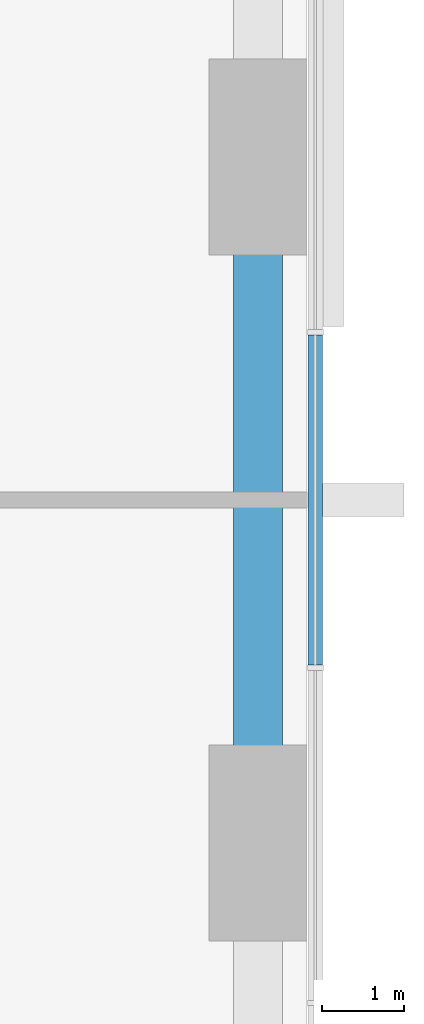
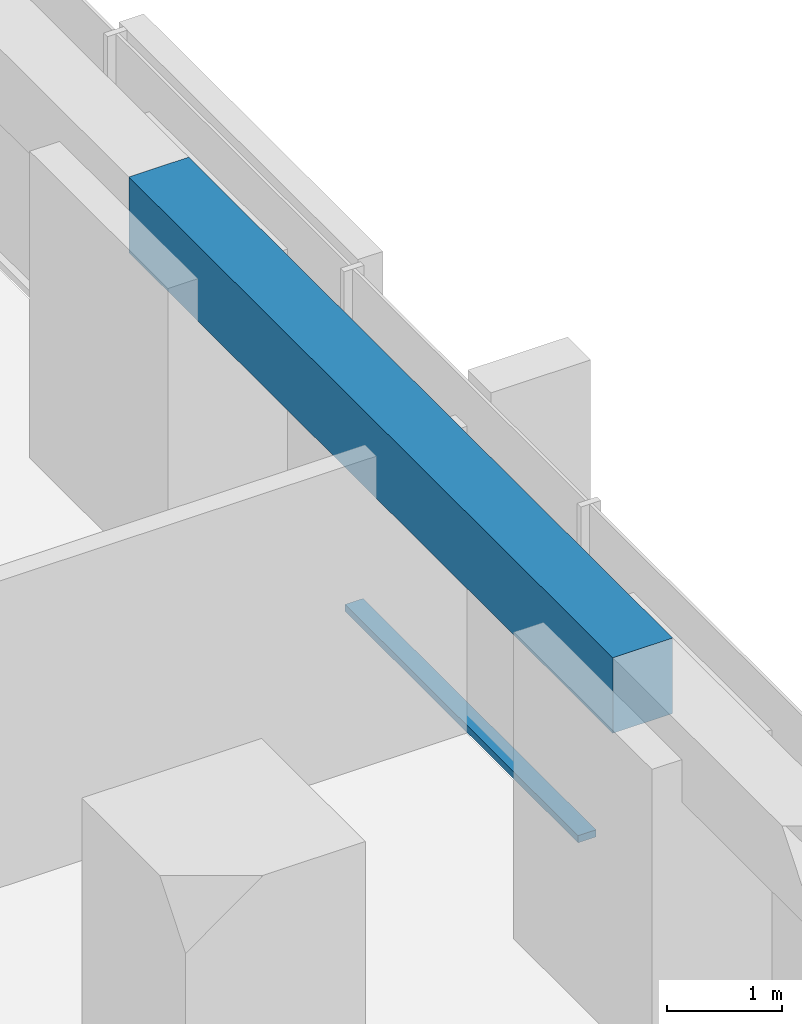
# One storey, part 5 of 17: 1 beam, 1 member, 1 element without a shape of its own.
"""IFC4 building model written with IfcOpenShell, lengths in metres."""

import ifcopenshell
import ifcopenshell.guid

model = None  # the IFC model being written
_history = None  # IfcOwnerHistory: only IFC2X3 demands one
_inside = {}  # id of a spatial element -> (the spatial element, [elements in it])
_under = {}  # id of a project, library or spatial element -> (it, [spatial elements below it])
_declared = {}  # id of a project -> (the project, [libraries it declares])
_typed = {}  # id of a type object -> (the type object, [elements of that type])
_made_of = {}  # id of a material, layer set ... -> (it, [elements and type objects made of it])


def new_model(schema):
    """Start an empty IFC model of exactly this schema.

    Asked for "IFC4X3", IfcOpenShell would pick the latest addendum, in which some entities
    have other attributes; the version numbers below select the first issue.
    IFC2X3 requires an IfcOwnerHistory on every rooted entity: one is made here for all.
    """
    global model, _history
    if schema == "IFC4X3":
        model = ifcopenshell.file(schema_version=(4, 3, 0, 0))
    else:
        model = ifcopenshell.file(schema=schema)
    _inside.clear()
    _under.clear()
    _declared.clear()
    _typed.clear()
    _made_of.clear()
    _history = None
    if model.schema == "IFC2X3":
        org = make("IfcOrganization", Name="unknown")
        user = make(
            "IfcPersonAndOrganization",
            ThePerson=make("IfcPerson", FamilyName="unknown"),
            TheOrganization=org,
        )
        app = make(
            "IfcApplication",
            ApplicationDeveloper=org,
            Version="unknown",
            ApplicationFullName="unknown",
            ApplicationIdentifier="unknown",
        )
        _history = make(
            "IfcOwnerHistory",
            OwningUser=user,
            OwningApplication=app,
            ChangeAction="ADDED",
            CreationDate=0,
        )
    return model


def make(cls, **values):
    """One entity of the class cls with the attributes given. An attribute that is None is left unset."""
    return model.create_entity(
        cls, **{name: value for name, value in values.items() if value is not None}
    )


def rooted(cls, **values):
    """An entity with a GlobalId (a new one), such as an element, a storey or a relation."""
    return make(cls, GlobalId=ifcopenshell.guid.new(), OwnerHistory=_history, **values)


def si_unit(unit_type, name, prefix=None):
    """IfcSIUnit, for example si_unit("LENGTHUNIT", "METRE", prefix="MILLI")."""
    return make("IfcSIUnit", UnitType=unit_type, Prefix=prefix, Name=name)


def assignment(units):
    """IfcUnitAssignment: the units of a project."""
    return None if units is None else make("IfcUnitAssignment", Units=units)


def point(xyz):
    """IfcCartesianPoint."""
    return None if xyz is None else make("IfcCartesianPoint", Coordinates=xyz)


def direction(xyz):
    """IfcDirection."""
    return None if xyz is None else make("IfcDirection", DirectionRatios=xyz)


def frame(location, z_axis=None, x_axis=None):
    """IfcAxis2Placement3D, a coordinate frame: its origin and axes. An axis left out is left unset."""
    return make(
        "IfcAxis2Placement3D",
        Location=point(location),
        Axis=direction(z_axis),
        RefDirection=direction(x_axis),
    )


def frame_2d(location, x_axis=None):
    """IfcAxis2Placement2D, a coordinate frame in the plane: its origin and x axis."""
    return make(
        "IfcAxis2Placement2D", Location=point(location), RefDirection=direction(x_axis)
    )


def origin():
    """The frame at (0, 0, 0) with its axes left unset."""
    return frame((0.0, 0.0, 0.0))


def origin_2d():
    """The frame at (0, 0) in the plane with its x axis left unset."""
    return frame_2d((0.0, 0.0))


def place(relative_to, where):
    """IfcLocalPlacement: puts the frame where relative to a parent placement (None: the world)."""
    return make(
        "IfcLocalPlacement", PlacementRelTo=relative_to, RelativePlacement=where
    )


def context(
    kind, dimensions, precision=None, world=None, true_north=None, identifier=None
):
    """IfcGeometricRepresentationContext, for example the 3D "Model" context."""
    return make(
        "IfcGeometricRepresentationContext",
        ContextIdentifier=identifier,
        ContextType=kind,
        CoordinateSpaceDimension=dimensions,
        Precision=precision,
        WorldCoordinateSystem=world,
        TrueNorth=true_north,
    )


def subcontext(parent, identifier, kind, view, scale=None):
    """IfcGeometricRepresentationSubContext, for example "Body" below "Model"."""
    return make(
        "IfcGeometricRepresentationSubContext",
        ContextIdentifier=identifier,
        ContextType=kind,
        ParentContext=parent,
        TargetScale=scale,
        TargetView=view,
    )


def project(units=None, contexts=None):
    """IfcProject with its units and contexts."""
    return rooted(
        "IfcProject",
        Name="project",
        RepresentationContexts=contexts,
        UnitsInContext=assignment(units),
    )


def spatial(cls, under=None, at=None, **own):
    """A site, building, storey or space (cls), placed at a placement, below another one or the project."""
    s = rooted(cls, ObjectPlacement=at, **own)
    if under is not None:
        _under.setdefault(under.id(), (under, []))[1].append(s)
    return s


def profile(cls, at=None, kind="AREA", **sizes):
    """A parametric profile (cls). Its sizes go by their IFC names, for example OverallWidth=200.0."""
    return make(cls, ProfileType=kind, Position=at, **sizes)


def rectangle(**sizes):
    """IfcRectangleProfileDef."""
    return profile("IfcRectangleProfileDef", **sizes)


def extrude(swept, where, along, depth):
    """IfcExtrudedAreaSolid: the profile swept, set in the frame where, extruded along a direction by depth."""
    return make(
        "IfcExtrudedAreaSolid",
        SweptArea=swept,
        Position=where,
        ExtrudedDirection=direction(along),
        Depth=depth,
    )


def shape(context_of_items, identifier, shape_type, items):
    """IfcShapeRepresentation: the items that make up one representation, for example the "Body"."""
    return make(
        "IfcShapeRepresentation",
        ContextOfItems=context_of_items,
        RepresentationIdentifier=identifier,
        RepresentationType=shape_type,
        Items=items,
    )


def material(Name=None, Category=None):
    """IfcMaterial."""
    return make("IfcMaterial", Name=Name, Category=Category)


def material_profile(
    of_material, cross_section, Name=None, Category=None, Priority=None
):
    """IfcMaterialProfile: a cross section and its material."""
    return make(
        "IfcMaterialProfile",
        Name=Name,
        Material=of_material,
        Profile=cross_section,
        Priority=Priority,
        Category=Category,
    )


def profile_set(profiles, Name=None, composite=None):
    """IfcMaterialProfileSet."""
    return make(
        "IfcMaterialProfileSet",
        Name=Name,
        MaterialProfiles=profiles,
        CompositeProfile=composite,
    )


def made_of(thing, what):
    """Note that an element or type object is made of a material, layer set ...; save() writes the relation."""
    if what is not None:
        _made_of.setdefault(what.id(), (what, []))[1].append(thing)
    return thing


def type_object(cls, material=None, **own):
    """A type object (cls), such as IfcWallType, which elements share."""
    return made_of(rooted(cls, **own), material)


def element(
    cls,
    number,
    at=None,
    inside=None,
    cuts=None,
    type_object=None,
    material=None,
    context=None,
    identifier="Body",
    shape_type=None,
    held_by="IfcProductDefinitionShape",
    body=None,
    shapes=None,
    **own,
):
    """One element of the class cls, such as IfcWall. Its Tag is "e" and its number.

    at: its placement. inside: the storey or other place that contains it. cuts: it is an
    opening in that element (IfcRelVoidsElement). A single representation is given by context,
    identifier, shape_type and body (its items); several are given by shapes. held_by: the class
    of the entity that holds the representations. save() writes the other relations.
    """
    e = rooted(cls, Tag="e%d" % number, ObjectPlacement=at, **own)
    if body is not None:
        shapes = [shape(context, identifier, shape_type, body)]
    if shapes is not None:
        e.Representation = make(held_by, Representations=shapes)
    if inside is not None:
        _inside.setdefault(inside.id(), (inside, []))[1].append(e)
    if cuts is not None:
        rooted(
            "IfcRelVoidsElement", RelatingBuildingElement=cuts, RelatedOpeningElement=e
        )
    if type_object is not None:
        _typed.setdefault(type_object.id(), (type_object, []))[1].append(e)
    return made_of(e, material)


def aggregate(whole, parts):
    """IfcRelAggregates: a whole, such as a stair, and the parts it consists of."""
    return rooted("IfcRelAggregates", RelatingObject=whole, RelatedObjects=parts)


def save(model, path):
    """Write the relations noted so far, then the file.

    IfcRelAggregates (storeys below a building ...), IfcRelContainedInSpatialStructure (elements
    in a storey), IfcRelDefinesByType, IfcRelAssociatesMaterial and IfcRelDeclares: one each for
    every whole, place, type object, material and project.
    """
    for whole, parts in _under.values():
        aggregate(whole, parts)
    for where, things in _inside.values():
        rooted(
            "IfcRelContainedInSpatialStructure",
            RelatedElements=things,
            RelatingStructure=where,
        )
    for kind, things in _typed.values():
        rooted("IfcRelDefinesByType", RelatedObjects=things, RelatingType=kind)
    for what, things in _made_of.values():
        rooted("IfcRelAssociatesMaterial", RelatedObjects=things, RelatingMaterial=what)
    for by, libraries in _declared.values():
        rooted("IfcRelDeclares", RelatingContext=by, RelatedDefinitions=libraries)
    model.write(path)


model = new_model("IFC4")

# Units and contexts
model_context = context("Model", 3, precision=1e-05, world=origin(), true_north=direction((0.0, 1.0)))
body_context = subcontext(model_context, "Body", "Model", "MODEL_VIEW")
ifc_project = project(units=[si_unit("LENGTHUNIT", "METRE"), si_unit("AREAUNIT", "SQUARE_METRE"), si_unit("VOLUMEUNIT", "CUBIC_METRE"), si_unit("PLANEANGLEUNIT", "RADIAN"), si_unit("MASSUNIT", "GRAM", prefix="KILO")], contexts=[model_context])

# Site, building, storey
site_placement = place(None, origin())
site = spatial("IfcSite", under=ifc_project, at=site_placement, CompositionType="ELEMENT")
building_placement = place(site_placement, origin())
building = spatial("IfcBuilding", under=site, at=building_placement, Name="Dunama Terrace Hotel", CompositionType="ELEMENT")
storey_placement = place(building_placement, frame((0.0, 0.0, 48.60009765625)))
storey = spatial("IfcBuildingStorey", under=building, at=storey_placement, Name="L11", CompositionType="ELEMENT", Elevation=48.60009765625)

# Curtain wall, member
ifc_material_1 = material(Name="Aluminium curtain wall system", Category="aluminium")
curtain_wall_type = type_object("IfcCurtainWallType", Name="Unitised fritted glass wall CW-A", PredefinedType="NOTDEFINED", material=ifc_material_1)
curtain_wall_placement = place(storey_placement, origin())
curtain_wall = element("IfcCurtainWall", 1, at=curtain_wall_placement, inside=storey, type_object=curtain_wall_type, Name="Unitised fritted glass wall CW-A L11", PredefinedType="NOTDEFINED")
ifc_material_2 = material(Name="Aluminium transom", Category="aluminium")
ifc_material_profile_1 = material_profile(ifc_material_2, rectangle(XDim=0.179931640625, YDim=0.074951171875, at=origin_2d()), Name="CWA TRANSOM 180X75")
ifc_profile_set_1 = profile_set([ifc_material_profile_1], Name="Aluminium transom")
member_type = type_object("IfcMemberType", Name="CWA transom 180x75", PredefinedType="USERDEFINED", material=ifc_profile_set_1)
member_placement = place(storey_placement, frame((58.89990234375, 27.37890625, 0.037353515625), z_axis=(0.0, 1.0, 0.0), x_axis=(-1.0, 0.0, 0.0)))
member = element("IfcMember", 2, at=member_placement, type_object=member_type, Name="CWA transom", ObjectType="TRANSOM", PredefinedType="USERDEFINED", context=body_context, shape_type="SweptSolid", body=[
    extrude(rectangle(XDim=0.179931640625, YDim=0.074951171875, at=origin_2d()), origin(), (0.0, 0.0, 1.0), 4.0419921875),
])
aggregate(curtain_wall, [member])

# Beam
ifc_material_3 = material(Name="Concrete C40/50", Category="concrete")
ifc_material_profile_2 = material_profile(ifc_material_3, rectangle(XDim=0.60009765625, YDim=0.800048828125, at=origin_2d()), Name="RC 600x800")
ifc_profile_set_2 = profile_set([ifc_material_profile_2], Name="Concrete C40/50")
beam_type = type_object("IfcBeamType", Name="Edge beam RC 600x800", PredefinedType="SPANDREL", material=ifc_profile_set_2)
beam_placement = place(storey_placement, frame((58.199951171875, 25.199951171875, 3.199951171875), z_axis=(0.0, 1.0, 0.0), x_axis=(-1.0, 0.0, 0.0)))
element("IfcBeam", 3, at=beam_placement, inside=storey, type_object=beam_type, Name="Edge beam under L12", PredefinedType="SPANDREL", context=body_context, shape_type="SweptSolid", body=[
    extrude(rectangle(XDim=0.60009765625, YDim=0.800048828125, at=origin_2d()), origin(), (0.0, 0.0, 1.0), 8.400146484375),
])

save(model, "model.ifc")
